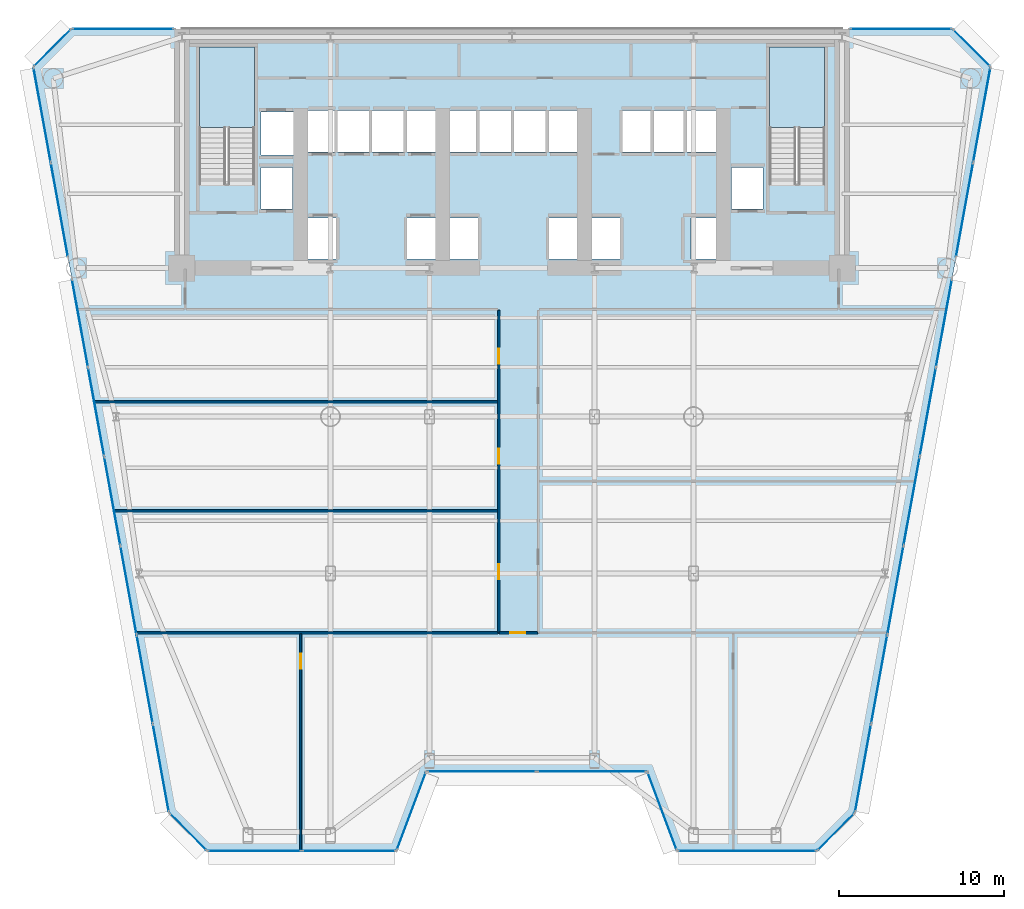
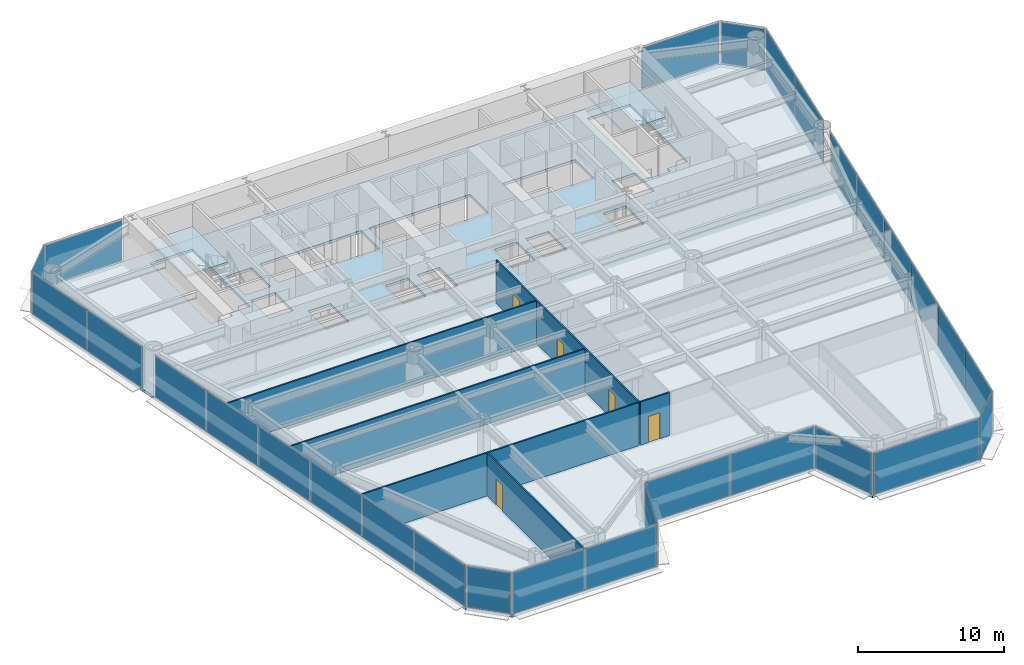
# One storey, part 7 of 14: 29 plates, 6 walls, 5 doors, 3 slabs, 5 openings, 17 elements without a shape of their own.
"""IFC4 building model written with IfcOpenShell, lengths in metres."""

from ifc_helpers import new_model, si_unit, direction, frame, frame_2d, origin, origin_2d, place, context, subcontext, project, spatial, polyline, rectangle, outline, extrude, source, transform, mapped, material, layer, layer_set, type_object, element, fill, aggregate, save


model = new_model("IFC4")

# Units and contexts
model_context = context("Model", 3, precision=1e-05, world=origin(), true_north=direction((0.0, 1.0)))
body_context = subcontext(model_context, "Body", "Model", "MODEL_VIEW")
ifc_project = project(units=[si_unit("LENGTHUNIT", "METRE"), si_unit("AREAUNIT", "SQUARE_METRE"), si_unit("VOLUMEUNIT", "CUBIC_METRE"), si_unit("PLANEANGLEUNIT", "RADIAN"), si_unit("MASSUNIT", "GRAM", prefix="KILO")], contexts=[model_context])

# Site, building, storey
site_placement = place(None, origin())
site = spatial("IfcSite", under=ifc_project, at=site_placement, CompositionType="ELEMENT")
building_placement = place(site_placement, origin())
building = spatial("IfcBuilding", under=site, at=building_placement, Name="Vaeldorn Concourse Tower", CompositionType="ELEMENT")
storey_placement = place(building_placement, frame((0.0, 0.0, 37.800048828125)))
storey = spatial("IfcBuildingStorey", under=building, at=storey_placement, Name="L09", CompositionType="ELEMENT", Elevation=37.800048828125)

# Stair, slab
ifc_material_1 = material(Name="Precast concrete C40/50", Category="concrete")
stair_type = type_object("IfcStairType", Name="STR-DOG-24x158", PredefinedType="HALF_TURN_STAIR", material=ifc_material_1)
stair_1_placement = place(storey_placement, origin())
stair_1 = element("IfcStair", 1, at=stair_1_placement, inside=storey, type_object=stair_type, Name="L09 West Core Exit Stair ST-1", PredefinedType="HALF_TURN_STAIR")
ifc_material_2 = material(Name="Concrete C40/50", Category="concrete")
ifc_layer_1 = layer(ifc_material_2, 0.199951171875)
ifc_layer_set_1 = layer_set([ifc_layer_1], Name="Concrete C40/50")
slab_type_1 = type_object("IfcSlabType", Name="SL-STAIR-LANDING", PredefinedType="LANDING", material=ifc_layer_set_1)
slab_1_placement = place(storey_placement, frame((0.0, 0.0, 1.699951171875)))
slab_1 = element("IfcSlab", 2, at=slab_1_placement, type_object=slab_type_1, Name="ST-1 landing 1", PredefinedType="LANDING", context=body_context, shape_type="SweptSolid", body=[
    extrude(outline(polyline([(18.39990234375, 45.010009765625), (18.39990234375, 49.89990234375), (15.050048828125, 49.89990234375), (15.050048828125, 45.010009765625), (18.39990234375, 45.010009765625)])), origin(), (0.0, 0.0, 1.0), 0.199951171875),
])
aggregate(stair_1, [slab_1])

stair_2_placement = place(storey_placement, origin())
stair_2 = element("IfcStair", 3, at=stair_2_placement, inside=storey, type_object=stair_type, Name="L09 East Core Exit Stair ST-2", PredefinedType="HALF_TURN_STAIR")
slab_2_placement = place(storey_placement, frame((0.0, 0.0, 1.699951171875)))
slab_2 = element("IfcSlab", 4, at=slab_2_placement, type_object=slab_type_1, Name="ST-2 landing 1", PredefinedType="LANDING", context=body_context, shape_type="SweptSolid", body=[
    extrude(outline(polyline([(52.949951171875, 45.010009765625), (52.949951171875, 49.89990234375), (49.60009765625, 49.89990234375), (49.60009765625, 45.010009765625), (52.949951171875, 45.010009765625)])), origin(), (0.0, 0.0, 1.0), 0.199951171875),
])
aggregate(stair_2, [slab_2])

# Slab
ifc_layer_2 = layer(ifc_material_2, 0.219970703125)
ifc_layer_set_2 = layer_set([ifc_layer_2], Name="Concrete C40/50")
slab_type_2 = type_object("IfcSlabType", Name="SL-TYP-220", PredefinedType="FLOOR", material=ifc_layer_set_2)
slab_3_placement = place(storey_placement, frame((0.0, 0.0, -0.219970703125)))
element("IfcSlab", 5, at=slab_3_placement, inside=storey, type_object=slab_type_2, Name="Structural Floor Slab L09", PredefinedType="FLOOR", context=body_context, shape_type="SweptSolid", body=[
    extrude(outline(polyline([(15.517822265625, 1.1953125), (27.0, 1.1953125), (28.800048828125, 5.995361328125), (42.199951171875, 5.995361328125), (44.0, 1.1953125), (52.482177734375, 1.1953125), (54.7822265625, 3.495361328125), (63.0, 48.699951171875), (60.699951171875, 51.0), (7.300048828125, 51.0), (5.0, 48.699951171875), (13.2177734375, 3.495361328125), (15.517822265625, 1.1953125)]), holes=[polyline([(18.39990234375, 42.0), (18.39990234375, 49.89990234375), (15.050048828125, 49.89990234375), (15.050048828125, 41.60009765625), (16.800048828125, 41.60009765625), (16.800048828125, 42.0), (18.39990234375, 42.0)]), polyline([(52.949951171875, 42.0), (52.949951171875, 49.89990234375), (49.60009765625, 49.89990234375), (49.60009765625, 41.60009765625), (51.35009765625, 41.60009765625), (51.35009765625, 42.0), (52.949951171875, 42.0)]), polyline([(21.550048828125, 37.050048828125), (23.35009765625, 37.050048828125), (23.35009765625, 39.550048828125), (21.550048828125, 39.550048828125), (21.550048828125, 37.050048828125)]), polyline([(27.64990234375, 37.050048828125), (29.449951171875, 37.050048828125), (29.449951171875, 39.550048828125), (27.64990234375, 39.550048828125), (27.64990234375, 37.050048828125)]), polyline([(21.5, 43.550048828125), (29.5, 43.550048828125), (29.5, 46.050048828125), (21.5, 46.050048828125), (21.5, 43.550048828125)]), polyline([(30.14990234375, 37.050048828125), (31.949951171875, 37.050048828125), (31.949951171875, 39.550048828125), (30.14990234375, 39.550048828125), (30.14990234375, 37.050048828125)]), polyline([(36.25, 37.050048828125), (38.050048828125, 37.050048828125), (38.050048828125, 39.550048828125), (36.25, 39.550048828125), (36.25, 37.050048828125)]), polyline([(30.10009765625, 43.550048828125), (38.10009765625, 43.550048828125), (38.10009765625, 46.050048828125), (30.10009765625, 46.050048828125), (30.10009765625, 43.550048828125)]), polyline([(38.75, 37.050048828125), (40.550048828125, 37.050048828125), (40.550048828125, 39.550048828125), (38.75, 39.550048828125), (38.75, 37.050048828125)]), polyline([(44.85009765625, 37.050048828125), (46.64990234375, 37.050048828125), (46.64990234375, 39.550048828125), (44.85009765625, 39.550048828125), (44.85009765625, 37.050048828125)]), polyline([(40.699951171875, 43.550048828125), (46.39990234375, 43.550048828125), (46.39990234375, 46.050048828125), (40.699951171875, 46.050048828125), (40.699951171875, 43.550048828125)]), polyline([(18.800048828125, 43.35009765625), (20.800048828125, 43.35009765625), (20.800048828125, 45.949951171875), (18.800048828125, 45.949951171875), (18.800048828125, 43.35009765625)]), polyline([(18.800048828125, 40.10009765625), (20.699951171875, 40.10009765625), (20.699951171875, 42.60009765625), (18.800048828125, 42.60009765625), (18.800048828125, 40.10009765625)]), polyline([(47.300048828125, 40.10009765625), (49.199951171875, 40.10009765625), (49.199951171875, 42.60009765625), (47.300048828125, 42.60009765625), (47.300048828125, 40.10009765625)])]), origin(), (0.0, 0.0, 1.0), 0.219970703125),
])

# Curtain wall, plate
ifc_material_3 = material(Name="Anodised Bronze Aluminium", Category="aluminium")
ifc_layer_3 = layer(ifc_material_3, 0.219970703125)
ifc_layer_set_3 = layer_set([ifc_layer_3], Name="Anodised Bronze Aluminium")
curtain_wall_type = type_object("IfcCurtainWallType", Name="CW-SYS-01", PredefinedType="NOTDEFINED", material=ifc_layer_set_3)
curtain_wall_1_placement = place(storey_placement, origin())
curtain_wall_1 = element("IfcCurtainWall", 6, at=curtain_wall_1_placement, inside=storey, type_object=curtain_wall_type, Name="Unitised Curtain Wall CW-L09-E02-1", PredefinedType="NOTDEFINED")
ifc_material_4 = material(Name="Bronze Tinted Low-E Insulated Glass", Category="glass")
ifc_layer_4 = layer(ifc_material_4, 0.031982421875)
ifc_layer_set_4 = layer_set([ifc_layer_4], Name="Bronze Tinted Low-E Insulated Glass")
plate_type = type_object("IfcPlateType", Name="CWP-VISION-32", PredefinedType="CURTAIN_PANEL", material=ifc_layer_set_4)
shared_shape_1 = source(origin(), body_context, "Body", "SweptSolid", [
    extrude(rectangle(XDim=4.976318359375, YDim=0.031982421875, at=origin_2d()), origin(), (0.0, 0.0, 1.0), 3.429931640625),
])
plate_1_placement = place(storey_placement, frame((27.89990234375, 3.595458984375, 0.0751953125), z_axis=(0.0, 0.0, 1.0), x_axis=(0.351123441595, 0.936329177566, 0.0)))
plate_1 = element("IfcPlate", 7, at=plate_1_placement, type_object=plate_type, Name="CW-01 panel 1.1", PredefinedType="CURTAIN_PANEL", context=body_context, shape_type="MappedRepresentation", body=[
    mapped(shared_shape_1, transform((0.0, 0.0, 0.0), scale=1.0)),
])
aggregate(curtain_wall_1, [plate_1])

curtain_wall_2_placement = place(storey_placement, origin())
curtain_wall_2 = element("IfcCurtainWall", 8, at=curtain_wall_2_placement, inside=storey, type_object=curtain_wall_type, Name="Unitised Curtain Wall CW-L09-E04-1", PredefinedType="NOTDEFINED")
plate_2_placement = place(storey_placement, frame((43.10009765625, 3.595458984375, 0.0751953125), z_axis=(0.0, 0.0, 1.0), x_axis=(0.351123441595, -0.936329177566, 0.0)))
plate_2 = element("IfcPlate", 9, at=plate_2_placement, type_object=plate_type, Name="CW-01 panel 1.1", PredefinedType="CURTAIN_PANEL", context=body_context, shape_type="MappedRepresentation", body=[
    mapped(shared_shape_1, transform((0.0, 0.0, 0.0), scale=1.0)),
])
aggregate(curtain_wall_2, [plate_2])

# Curtain wall, plates
curtain_wall_3_placement = place(storey_placement, origin())
curtain_wall_3 = element("IfcCurtainWall", 10, at=curtain_wall_3_placement, inside=storey, type_object=curtain_wall_type, Name="Unitised Curtain Wall CW-L09-E03-1", PredefinedType="NOTDEFINED")
shared_shape_2 = source(origin(), body_context, "Body", "SweptSolid", [
    extrude(rectangle(XDim=6.58740234375, YDim=0.031982421875, at=origin_2d()), origin(), (0.0, 0.0, 1.0), 3.429931640625),
])
plate_3_placement = place(storey_placement, frame((32.168701171875, 5.995361328125, 0.0751953125), z_axis=(0.0, 0.0, 1.0), x_axis=(1.0, 0.0, 0.0)))
plate_3 = element("IfcPlate", 11, at=plate_3_placement, type_object=plate_type, Name="CW-01 panel 1.1", PredefinedType="CURTAIN_PANEL", context=body_context, shape_type="MappedRepresentation", body=[
    mapped(shared_shape_2, transform((0.0, 0.0, 0.0), scale=1.0)),
])
plate_4_placement = place(storey_placement, frame((38.831298828125, 5.995361328125, 0.0751953125), z_axis=(0.0, 0.0, 1.0), x_axis=(1.0, 0.0, 0.0)))
plate_4 = element("IfcPlate", 12, at=plate_4_placement, type_object=plate_type, Name="CW-01 panel 2.1", PredefinedType="CURTAIN_PANEL", context=body_context, shape_type="MappedRepresentation", body=[
    mapped(shared_shape_2, transform((0.0, 0.0, 0.0), scale=1.0)),
])
aggregate(curtain_wall_3, [plate_3, plate_4])

# Curtain wall, plate
curtain_wall_4_placement = place(storey_placement, origin())
curtain_wall_4 = element("IfcCurtainWall", 13, at=curtain_wall_4_placement, inside=storey, type_object=curtain_wall_type, Name="Unitised Curtain Wall CW-L09-E06-1", PredefinedType="NOTDEFINED")
shared_shape_3 = source(origin(), body_context, "Body", "SweptSolid", [
    extrude(rectangle(XDim=3.102783203125, YDim=0.031982421875, at=origin_2d()), origin(), (0.0, 0.0, 1.0), 3.429931640625),
])
plate_5_placement = place(storey_placement, frame((53.632080078125, 2.345458984375, 0.0751953125), z_axis=(0.0, 0.0, 1.0), x_axis=(0.707106781187, 0.707106781187, 0.0)))
plate_5 = element("IfcPlate", 14, at=plate_5_placement, type_object=plate_type, Name="CW-01 panel 1.1", PredefinedType="CURTAIN_PANEL", context=body_context, shape_type="MappedRepresentation", body=[
    mapped(shared_shape_3, transform((0.0, 0.0, 0.0), scale=1.0)),
])
aggregate(curtain_wall_4, [plate_5])

curtain_wall_5_placement = place(storey_placement, origin())
curtain_wall_5 = element("IfcCurtainWall", 15, at=curtain_wall_5_placement, inside=storey, type_object=curtain_wall_type, Name="Unitised Curtain Wall CW-L09-E08-1", PredefinedType="NOTDEFINED")
plate_6_placement = place(storey_placement, frame((61.85009765625, 49.85009765625, 0.0751953125), z_axis=(0.0, 0.0, 1.0), x_axis=(-0.707106781187, 0.707106781187, 0.0)))
plate_6 = element("IfcPlate", 16, at=plate_6_placement, type_object=plate_type, Name="CW-01 panel 1.1", PredefinedType="CURTAIN_PANEL", context=body_context, shape_type="MappedRepresentation", body=[
    mapped(shared_shape_3, transform((0.0, 0.0, 0.0), scale=1.0)),
])
aggregate(curtain_wall_5, [plate_6])

curtain_wall_6_placement = place(storey_placement, origin())
curtain_wall_6 = element("IfcCurtainWall", 17, at=curtain_wall_6_placement, inside=storey, type_object=curtain_wall_type, Name="Unitised Curtain Wall CW-L09-E10-1", PredefinedType="NOTDEFINED")
plate_7_placement = place(storey_placement, frame((6.14990234375, 49.85009765625, 0.0751953125), z_axis=(0.0, 0.0, 1.0), x_axis=(-0.707106781187, -0.707106781187, 0.0)))
plate_7 = element("IfcPlate", 18, at=plate_7_placement, type_object=plate_type, Name="CW-01 panel 1.1", PredefinedType="CURTAIN_PANEL", context=body_context, shape_type="MappedRepresentation", body=[
    mapped(shared_shape_3, transform((0.0, 0.0, 0.0), scale=1.0)),
])
aggregate(curtain_wall_6, [plate_7])

curtain_wall_7_placement = place(storey_placement, origin())
curtain_wall_7 = element("IfcCurtainWall", 19, at=curtain_wall_7_placement, inside=storey, type_object=curtain_wall_type, Name="Unitised Curtain Wall CW-L09-E12-1", PredefinedType="NOTDEFINED")
plate_8_placement = place(storey_placement, frame((14.367919921875, 2.345458984375, 0.0751953125), z_axis=(0.0, 0.0, 1.0), x_axis=(0.707106781187, -0.707106781187, 0.0)))
plate_8 = element("IfcPlate", 20, at=plate_8_placement, type_object=plate_type, Name="CW-01 panel 1.1", PredefinedType="CURTAIN_PANEL", context=body_context, shape_type="MappedRepresentation", body=[
    mapped(shared_shape_3, transform((0.0, 0.0, 0.0), scale=1.0)),
])
aggregate(curtain_wall_7, [plate_8])

curtain_wall_8_placement = place(storey_placement, origin())
curtain_wall_8 = element("IfcCurtainWall", 21, at=curtain_wall_8_placement, inside=storey, type_object=curtain_wall_type, Name="Unitised Curtain Wall CW-L09-E09-1", PredefinedType="NOTDEFINED")
shared_shape_4 = source(origin(), body_context, "Body", "SweptSolid", [
    extrude(rectangle(XDim=6.10498046875, YDim=0.031982421875, at=origin_2d()), origin(), (0.0, 0.0, 1.0), 3.429931640625),
])
plate_9_placement = place(storey_placement, frame((57.572509765625, 51.0, 0.0751953125), z_axis=(0.0, 0.0, 1.0), x_axis=(-1.0, 0.0, 0.0)))
plate_9 = element("IfcPlate", 22, at=plate_9_placement, type_object=plate_type, Name="CW-01 panel 1.1", PredefinedType="CURTAIN_PANEL", context=body_context, shape_type="MappedRepresentation", body=[
    mapped(shared_shape_4, transform((0.0, 0.0, 0.0), scale=1.0)),
])
aggregate(curtain_wall_8, [plate_9])

curtain_wall_9_placement = place(storey_placement, origin())
curtain_wall_9 = element("IfcCurtainWall", 23, at=curtain_wall_9_placement, inside=storey, type_object=curtain_wall_type, Name="Unitised Curtain Wall CW-L09-E09-2", PredefinedType="NOTDEFINED")
plate_10_placement = place(storey_placement, frame((10.427490234375, 51.0, 0.0751953125), z_axis=(0.0, 0.0, 1.0), x_axis=(-1.0, 0.0, 0.0)))
plate_10 = element("IfcPlate", 24, at=plate_10_placement, type_object=plate_type, Name="CW-01 panel 1.1", PredefinedType="CURTAIN_PANEL", context=body_context, shape_type="MappedRepresentation", body=[
    mapped(shared_shape_4, transform((0.0, 0.0, 0.0), scale=1.0)),
])
aggregate(curtain_wall_9, [plate_10])

# Curtain wall, plates
curtain_wall_10_placement = place(storey_placement, origin())
curtain_wall_10 = element("IfcCurtainWall", 25, at=curtain_wall_10_placement, inside=storey, type_object=curtain_wall_type, Name="Unitised Curtain Wall CW-L09-E01-1", PredefinedType="NOTDEFINED")
shared_shape_5 = source(origin(), body_context, "Body", "SweptSolid", [
    extrude(rectangle(XDim=5.628662109375, YDim=0.031982421875, at=origin_2d()), origin(), (0.0, 0.0, 1.0), 3.429931640625),
])
plate_11_placement = place(storey_placement, frame((18.406982421875, 1.1953125, 0.0751953125), z_axis=(0.0, 0.0, 1.0), x_axis=(1.0, 0.0, 0.0)))
plate_11 = element("IfcPlate", 26, at=plate_11_placement, type_object=plate_type, Name="CW-01 panel 1.1", PredefinedType="CURTAIN_PANEL", context=body_context, shape_type="MappedRepresentation", body=[
    mapped(shared_shape_5, transform((0.0, 0.0, 0.0), scale=1.0)),
])
plate_12_placement = place(storey_placement, frame((24.110595703125, 1.1953125, 0.0751953125), z_axis=(0.0, 0.0, 1.0), x_axis=(1.0, 0.0, 0.0)))
plate_12 = element("IfcPlate", 27, at=plate_12_placement, type_object=plate_type, Name="CW-01 panel 2.1", PredefinedType="CURTAIN_PANEL", context=body_context, shape_type="MappedRepresentation", body=[
    mapped(shared_shape_5, transform((0.0, 0.0, 0.0), scale=1.0)),
])
aggregate(curtain_wall_10, [plate_11, plate_12])

# Curtain wall, plate
curtain_wall_11_placement = place(storey_placement, origin())
curtain_wall_11 = element("IfcCurtainWall", 28, at=curtain_wall_11_placement, inside=storey, type_object=curtain_wall_type, Name="Unitised Curtain Wall CW-L09-E05-1", PredefinedType="NOTDEFINED")
shared_shape_6 = source(origin(), body_context, "Body", "SweptSolid", [
    extrude(rectangle(XDim=8.332275390625, YDim=0.031982421875, at=origin_2d()), origin(), (0.0, 0.0, 1.0), 3.429931640625),
])
plate_13_placement = place(storey_placement, frame((48.2412109375, 1.1953125, 0.0751953125), z_axis=(0.0, 0.0, 1.0), x_axis=(1.0, 0.0, 0.0)))
plate_13 = element("IfcPlate", 29, at=plate_13_placement, type_object=plate_type, Name="CW-01 panel 1.1", PredefinedType="CURTAIN_PANEL", context=body_context, shape_type="MappedRepresentation", body=[
    mapped(shared_shape_6, transform((0.0, 0.0, 0.0), scale=1.0)),
])
aggregate(curtain_wall_11, [plate_13])

# Curtain wall, plates
curtain_wall_12_placement = place(storey_placement, origin())
curtain_wall_12 = element("IfcCurtainWall", 30, at=curtain_wall_12_placement, inside=storey, type_object=curtain_wall_type, Name="Unitised Curtain Wall CW-L09-E07-1", PredefinedType="NOTDEFINED")
shared_shape_7 = source(origin(), body_context, "Body", "SweptSolid", [
    extrude(rectangle(XDim=5.37353515625, YDim=0.031982421875, at=origin_2d()), origin(), (0.0, 0.0, 1.0), 3.429931640625),
])
plate_14_placement = place(storey_placement, frame((55.276123046875, 6.212646484375, 0.0751953125), z_axis=(0.0, 0.0, 1.0), x_axis=(0.178858970673, 0.98387472201, 0.0)))
plate_14 = element("IfcPlate", 31, at=plate_14_placement, type_object=plate_type, Name="CW-01 panel 1.1", PredefinedType="CURTAIN_PANEL", context=body_context, shape_type="MappedRepresentation", body=[
    mapped(shared_shape_7, transform((0.0, 0.0, 0.0), scale=1.0)),
])
plate_15_placement = place(storey_placement, frame((60.175537109375, 33.163330078125, 0.0751953125), z_axis=(0.0, 0.0, 1.0), x_axis=(0.178858970673, 0.98387472201, 0.0)))
plate_15 = element("IfcPlate", 32, at=plate_15_placement, type_object=plate_type, Name="CW-01 panel 6.1", PredefinedType="CURTAIN_PANEL", context=body_context, shape_type="MappedRepresentation", body=[
    mapped(shared_shape_7, transform((0.0, 0.0, 0.0), scale=1.0)),
])

curtain_wall_13_placement = place(storey_placement, origin())
curtain_wall_13 = element("IfcCurtainWall", 33, at=curtain_wall_13_placement, inside=storey, type_object=curtain_wall_type, Name="Unitised Curtain Wall CW-L09-E11-2", PredefinedType="NOTDEFINED")
plate_16_placement = place(storey_placement, frame((7.824462890625, 33.163330078125, 0.0751953125), z_axis=(0.0, 0.0, 1.0), x_axis=(0.178858970673, -0.98387472201, 0.0)))
plate_16 = element("IfcPlate", 34, at=plate_16_placement, type_object=plate_type, Name="CW-01 panel 1.1", PredefinedType="CURTAIN_PANEL", context=body_context, shape_type="MappedRepresentation", body=[
    mapped(shared_shape_7, transform((0.0, 0.0, 0.0), scale=1.0)),
])
plate_17_placement = place(storey_placement, frame((12.723876953125, 6.212646484375, 0.0751953125), z_axis=(0.0, 0.0, 1.0), x_axis=(0.178858970673, -0.98387472201, 0.0)))
plate_17 = element("IfcPlate", 35, at=plate_17_placement, type_object=plate_type, Name="CW-01 panel 6.1", PredefinedType="CURTAIN_PANEL", context=body_context, shape_type="MappedRepresentation", body=[
    mapped(shared_shape_7, transform((0.0, 0.0, 0.0), scale=1.0)),
])

# Plate
shared_shape_8 = source(origin(), body_context, "Body", "SweptSolid", [
    extrude(rectangle(XDim=5.410888671875, YDim=0.031982421875, at=origin_2d()), origin(), (0.0, 0.0, 1.0), 3.429931640625),
])
plate_18_placement = place(storey_placement, frame((56.25390625, 11.591796875, 0.0751953125), z_axis=(0.0, 0.0, 1.0), x_axis=(0.178858970673, 0.98387472201, 0.0)))
plate_18 = element("IfcPlate", 36, at=plate_18_placement, type_object=plate_type, Name="CW-01 panel 2.1", PredefinedType="CURTAIN_PANEL", context=body_context, shape_type="MappedRepresentation", body=[
    mapped(shared_shape_8, transform((0.0, 0.0, 0.0), scale=1.0)),
])

plate_19_placement = place(storey_placement, frame((57.2353515625, 16.9892578125, 0.0751953125), z_axis=(0.0, 0.0, 1.0), x_axis=(0.178858970673, 0.98387472201, 0.0)))
plate_19 = element("IfcPlate", 37, at=plate_19_placement, type_object=plate_type, Name="CW-01 panel 3.1", PredefinedType="CURTAIN_PANEL", context=body_context, shape_type="MappedRepresentation", body=[
    mapped(shared_shape_8, transform((0.0, 0.0, 0.0), scale=1.0)),
])

plate_20_placement = place(storey_placement, frame((58.216552734375, 22.38671875, 0.0751953125), z_axis=(0.0, 0.0, 1.0), x_axis=(0.178858970673, 0.98387472201, 0.0)))
plate_20 = element("IfcPlate", 38, at=plate_20_placement, type_object=plate_type, Name="CW-01 panel 4.1", PredefinedType="CURTAIN_PANEL", context=body_context, shape_type="MappedRepresentation", body=[
    mapped(shared_shape_8, transform((0.0, 0.0, 0.0), scale=1.0)),
])

plate_21_placement = place(storey_placement, frame((59.19775390625, 27.7841796875, 0.0751953125), z_axis=(0.0, 0.0, 1.0), x_axis=(0.178858970673, 0.98387472201, 0.0)))
plate_21 = element("IfcPlate", 39, at=plate_21_placement, type_object=plate_type, Name="CW-01 panel 5.1", PredefinedType="CURTAIN_PANEL", context=body_context, shape_type="MappedRepresentation", body=[
    mapped(shared_shape_8, transform((0.0, 0.0, 0.0), scale=1.0)),
])

aggregate(curtain_wall_12, [plate_14, plate_18, plate_19, plate_20, plate_21, plate_15])

plate_22_placement = place(storey_placement, frame((8.80224609375, 27.7841796875, 0.0751953125), z_axis=(0.0, 0.0, 1.0), x_axis=(0.178858970673, -0.98387472201, 0.0)))
plate_22 = element("IfcPlate", 40, at=plate_22_placement, type_object=plate_type, Name="CW-01 panel 2.1", PredefinedType="CURTAIN_PANEL", context=body_context, shape_type="MappedRepresentation", body=[
    mapped(shared_shape_8, transform((0.0, 0.0, 0.0), scale=1.0)),
])

plate_23_placement = place(storey_placement, frame((9.783447265625, 22.38671875, 0.0751953125), z_axis=(0.0, 0.0, 1.0), x_axis=(0.178858970673, -0.98387472201, 0.0)))
plate_23 = element("IfcPlate", 41, at=plate_23_placement, type_object=plate_type, Name="CW-01 panel 3.1", PredefinedType="CURTAIN_PANEL", context=body_context, shape_type="MappedRepresentation", body=[
    mapped(shared_shape_8, transform((0.0, 0.0, 0.0), scale=1.0)),
])

plate_24_placement = place(storey_placement, frame((10.7646484375, 16.9892578125, 0.0751953125), z_axis=(0.0, 0.0, 1.0), x_axis=(0.178858970673, -0.98387472201, 0.0)))
plate_24 = element("IfcPlate", 42, at=plate_24_placement, type_object=plate_type, Name="CW-01 panel 4.1", PredefinedType="CURTAIN_PANEL", context=body_context, shape_type="MappedRepresentation", body=[
    mapped(shared_shape_8, transform((0.0, 0.0, 0.0), scale=1.0)),
])

plate_25_placement = place(storey_placement, frame((11.74609375, 11.591796875, 0.0751953125), z_axis=(0.0, 0.0, 1.0), x_axis=(0.178858970673, -0.98387472201, 0.0)))
plate_25 = element("IfcPlate", 43, at=plate_25_placement, type_object=plate_type, Name="CW-01 panel 5.1", PredefinedType="CURTAIN_PANEL", context=body_context, shape_type="MappedRepresentation", body=[
    mapped(shared_shape_8, transform((0.0, 0.0, 0.0), scale=1.0)),
])

aggregate(curtain_wall_13, [plate_16, plate_22, plate_23, plate_24, plate_25, plate_17])

# Curtain wall, plates
curtain_wall_14_placement = place(storey_placement, origin())
curtain_wall_14 = element("IfcCurtainWall", 44, at=curtain_wall_14_placement, inside=storey, type_object=curtain_wall_type, Name="Unitised Curtain Wall CW-L09-E07-2", PredefinedType="NOTDEFINED")
shared_shape_9 = source(origin(), body_context, "Body", "SweptSolid", [
    extrude(rectangle(XDim=5.772705078125, YDim=0.031982421875, at=origin_2d()), origin(), (0.0, 0.0, 1.0), 3.429931640625),
])
plate_26_placement = place(storey_placement, frame((61.424560546875, 40.032958984375, 0.0751953125), z_axis=(0.0, 0.0, 1.0), x_axis=(0.178857027626, 0.983875075235, 0.0)))
plate_26 = element("IfcPlate", 45, at=plate_26_placement, type_object=plate_type, Name="CW-01 panel 1.1", PredefinedType="CURTAIN_PANEL", context=body_context, shape_type="MappedRepresentation", body=[
    mapped(shared_shape_9, transform((0.0, 0.0, 0.0), scale=1.0)),
])
plate_27_placement = place(storey_placement, frame((62.470458984375, 45.786376953125, 0.0751953125), z_axis=(0.0, 0.0, 1.0), x_axis=(0.178857027626, 0.983875075235, 0.0)))
plate_27 = element("IfcPlate", 46, at=plate_27_placement, type_object=plate_type, Name="CW-01 panel 2.1", PredefinedType="CURTAIN_PANEL", context=body_context, shape_type="MappedRepresentation", body=[
    mapped(shared_shape_9, transform((0.0, 0.0, 0.0), scale=1.0)),
])
aggregate(curtain_wall_14, [plate_26, plate_27])

curtain_wall_15_placement = place(storey_placement, origin())
curtain_wall_15 = element("IfcCurtainWall", 47, at=curtain_wall_15_placement, inside=storey, type_object=curtain_wall_type, Name="Unitised Curtain Wall CW-L09-E11-1", PredefinedType="NOTDEFINED")
plate_28_placement = place(storey_placement, frame((5.529541015625, 45.786376953125, 0.0751953125), z_axis=(0.0, 0.0, 1.0), x_axis=(0.178857027626, -0.983875075235, 0.0)))
plate_28 = element("IfcPlate", 48, at=plate_28_placement, type_object=plate_type, Name="CW-01 panel 1.1", PredefinedType="CURTAIN_PANEL", context=body_context, shape_type="MappedRepresentation", body=[
    mapped(shared_shape_9, transform((0.0, 0.0, 0.0), scale=1.0)),
])
plate_29_placement = place(storey_placement, frame((6.575439453125, 40.032958984375, 0.0751953125), z_axis=(0.0, 0.0, 1.0), x_axis=(0.178857027626, -0.983875075235, 0.0)))
plate_29 = element("IfcPlate", 49, at=plate_29_placement, type_object=plate_type, Name="CW-01 panel 2.1", PredefinedType="CURTAIN_PANEL", context=body_context, shape_type="MappedRepresentation", body=[
    mapped(shared_shape_9, transform((0.0, 0.0, 0.0), scale=1.0)),
])
aggregate(curtain_wall_15, [plate_28, plate_29])

# Wall, openings, doors
ifc_material_5 = material(Name="Gypsum Board Partition", Category="gypsum")
ifc_layer_5 = layer(ifc_material_5, 0.1201171875)
ifc_layer_set_5 = layer_set([ifc_layer_5], Name="Gypsum Board Partition")
wall_type = type_object("IfcWallType", Name="WL-PART-120", PredefinedType="PARTITIONING", material=ifc_layer_set_5)
wall_1_placement = place(storey_placement, frame((33.199951171875, 14.39990234375, 0.0), z_axis=(0.0, 0.0, 1.0), x_axis=(0.0, 1.0, 0.0)))
wall_1 = element("IfcWall", 50, at=wall_1_placement, inside=storey, type_object=wall_type, Name="Interior Wall PW-L09-CSPW", PredefinedType="PARTITIONING", context=body_context, shape_type="SweptSolid", body=[
    extrude(rectangle(XDim=19.5400390625, YDim=0.1201171875, at=frame_2d((9.77001953125, 0.0))), origin(), (0.0, 0.0, 1.0), 3.579833984375),
])
opening_1_placement = place(wall_1_placement, frame((3.25, 0.0, 0.0)))
opening_1 = element("IfcOpeningElement", 51, at=opening_1_placement, cuts=wall_1, Name="Opening D-03", PredefinedType="OPENING", context=body_context, shape_type="SweptSolid", body=[
    extrude(rectangle(XDim=0.89990234375, YDim=2.14990234375, at=frame_2d((0.449951171875, 1.074951171875))), frame((0.0, 0.070068359375, 0.0), z_axis=(0.0, -1.0, 0.0), x_axis=(1.0, 0.0, 0.0)), (0.0, 0.0, 1.0), 0.14013671875),
])
opening_2_placement = place(wall_1_placement, frame((10.25, 0.0, 0.0)))
opening_2 = element("IfcOpeningElement", 52, at=opening_2_placement, cuts=wall_1, Name="Opening D-03", PredefinedType="OPENING", context=body_context, shape_type="SweptSolid", body=[
    extrude(rectangle(XDim=0.89990234375, YDim=2.14990234375, at=frame_2d((0.449951171875, 1.074951171875))), frame((0.0, 0.070068359375, 0.0), z_axis=(0.0, -1.0, 0.0), x_axis=(1.0, 0.0, 0.0)), (0.0, 0.0, 1.0), 0.14013671875),
])
opening_3_placement = place(wall_1_placement, frame((16.320068359375, 0.0, 0.0)))
opening_3 = element("IfcOpeningElement", 53, at=opening_3_placement, cuts=wall_1, Name="Opening D-03", PredefinedType="OPENING", context=body_context, shape_type="SweptSolid", body=[
    extrude(rectangle(XDim=0.89990234375, YDim=2.14990234375, at=frame_2d((0.449951171875, 1.074951171875))), frame((0.0, 0.070068359375, 0.0), z_axis=(0.0, -1.0, 0.0), x_axis=(1.0, 0.0, 0.0)), (0.0, 0.0, 1.0), 0.14013671875),
])
ifc_material_6 = material(Name="Acoustic Bronze-Framed Glass Door", Category="glass")
door_type = type_object("IfcDoorType", Name="DR-INT-900", OperationType="NOTDEFINED", PredefinedType="DOOR", material=ifc_material_6)
shared_shape_10 = source(origin(), body_context, "Body", "SweptSolid", [
    extrude(rectangle(XDim=0.89990234375, YDim=2.14990234375, at=frame_2d((0.449951171875, 1.074951171875))), frame((0.0, 0.02490234375, 0.0), z_axis=(0.0, -1.0, 0.0), x_axis=(1.0, 0.0, 0.0)), (0.0, 0.0, 1.0), 0.050048828125),
])
door_1_placement = place(opening_1_placement, origin())
door_1 = element("IfcDoor", 54, at=door_1_placement, inside=storey, type_object=door_type, Name="Interior Door DR-L09-Z3W1", OperationType="SINGLE_SWING_LEFT", OverallHeight=2.14990234375, OverallWidth=0.89990234375, PredefinedType="DOOR", context=body_context, shape_type="MappedRepresentation", body=[
    mapped(shared_shape_10, transform((0.0, 0.0, 0.0), scale=1.0)),
])
fill(opening_1, door_1)
door_2_placement = place(opening_2_placement, origin())
door_2 = element("IfcDoor", 55, at=door_2_placement, inside=storey, type_object=door_type, Name="Interior Door DR-L09-Z3W2", OperationType="SINGLE_SWING_RIGHT", OverallHeight=2.14990234375, OverallWidth=0.89990234375, PredefinedType="DOOR", context=body_context, shape_type="MappedRepresentation", body=[
    mapped(shared_shape_10, transform((0.0, 0.0, 0.0), scale=1.0)),
])
fill(opening_2, door_2)
door_3_placement = place(opening_3_placement, origin())
door_3 = element("IfcDoor", 56, at=door_3_placement, inside=storey, type_object=door_type, Name="Interior Door DR-L09-Z3W3", OperationType="SINGLE_SWING_LEFT", OverallHeight=2.14990234375, OverallWidth=0.89990234375, PredefinedType="DOOR", context=body_context, shape_type="MappedRepresentation", body=[
    mapped(shared_shape_10, transform((0.0, 0.0, 0.0), scale=1.0)),
])
fill(opening_3, door_3)

# Wall, opening, door
wall_2_placement = place(storey_placement, frame((33.239990234375, 14.39990234375, 0.0), z_axis=(0.0, 0.0, 1.0), x_axis=(1.0, 0.0, 0.0)))
wall_2 = element("IfcWall", 57, at=wall_2_placement, inside=storey, type_object=wall_type, Name="Interior Wall PW-L09-CSPS", PredefinedType="PARTITIONING", context=body_context, shape_type="SweptSolid", body=[
    extrude(rectangle(XDim=2.320068359375, YDim=0.1201171875, at=frame_2d((1.16015625, 0.0))), origin(), (0.0, 0.0, 1.0), 3.579833984375),
])
opening_4_placement = place(wall_2_placement, frame((0.64990234375, 0.0, 0.0)))
opening_4 = element("IfcOpeningElement", 58, at=opening_4_placement, cuts=wall_2, Name="Opening D-03", PredefinedType="OPENING", context=body_context, shape_type="SweptSolid", body=[
    extrude(rectangle(XDim=0.89990234375, YDim=2.14990234375, at=frame_2d((0.449951171875, 1.074951171875))), frame((0.0, 0.070068359375, 0.0), z_axis=(0.0, -1.0, 0.0), x_axis=(1.0, 0.0, 0.0)), (0.0, 0.0, 1.0), 0.14013671875),
])
door_4_placement = place(opening_4_placement, origin())
door_4 = element("IfcDoor", 59, at=door_4_placement, inside=storey, type_object=door_type, Name="Interior Door DR-L09-Z3SM", OperationType="SINGLE_SWING_LEFT", OverallHeight=2.14990234375, OverallWidth=0.89990234375, PredefinedType="DOOR", context=body_context, shape_type="MappedRepresentation", body=[
    mapped(shared_shape_10, transform((0.0, 0.0, 0.0), scale=1.0)),
])
fill(opening_4, door_4)

# Walls
wall_3_placement = place(storey_placement, frame((9.93017578125, 21.800048828125, 0.0), z_axis=(0.0, 0.0, 1.0), x_axis=(1.0, 0.0, 0.0)))
element("IfcWall", 60, at=wall_3_placement, inside=storey, type_object=wall_type, Name="Interior Wall PW-L09-Z3WY1", PredefinedType="PARTITIONING", context=body_context, shape_type="SweptSolid", body=[
    extrude(rectangle(XDim=23.209716796875, YDim=0.1201171875, at=frame_2d((11.60498046875, 0.0))), origin(), (0.0, 0.0, 1.0), 3.579833984375),
])
wall_4_placement = place(storey_placement, frame((8.73046875, 28.39990234375, 0.0), z_axis=(0.0, 0.0, 1.0), x_axis=(1.0, 0.0, 0.0)))
element("IfcWall", 61, at=wall_4_placement, inside=storey, type_object=wall_type, Name="Interior Wall PW-L09-Z3WY2", PredefinedType="PARTITIONING", context=body_context, shape_type="SweptSolid", body=[
    extrude(rectangle(XDim=24.409423828125, YDim=0.1201171875, at=frame_2d((12.20458984375, 0.0))), origin(), (0.0, 0.0, 1.0), 3.579833984375),
])
wall_5_placement = place(storey_placement, frame((11.275390625, 14.39990234375, 0.0), z_axis=(0.0, 0.0, 1.0), x_axis=(1.0, 0.0, 0.0)))
element("IfcWall", 62, at=wall_5_placement, inside=storey, type_object=wall_type, Name="Interior Wall PW-L09-Z3SWL", PredefinedType="PARTITIONING", context=body_context, shape_type="SweptSolid", body=[
    extrude(rectangle(XDim=21.864501953125, YDim=0.1201171875, at=frame_2d((10.93212890625, 0.0))), origin(), (0.0, 0.0, 1.0), 3.579833984375),
])

# Wall, opening, door
wall_6_placement = place(storey_placement, frame((21.199951171875, 1.2353515625, 0.0), z_axis=(0.0, 0.0, 1.0), x_axis=(0.0, 1.0, 0.0)))
wall_6 = element("IfcWall", 63, at=wall_6_placement, inside=storey, type_object=wall_type, Name="Interior Wall PW-L09-Z3SX1", PredefinedType="PARTITIONING", context=body_context, shape_type="SweptSolid", body=[
    extrude(rectangle(XDim=13.104736328125, YDim=0.1201171875, at=frame_2d((6.55224609375, 0.0))), origin(), (0.0, 0.0, 1.0), 3.579833984375),
])
opening_5_placement = place(wall_6_placement, frame((11.0048828125, 0.0, 0.0)))
opening_5 = element("IfcOpeningElement", 64, at=opening_5_placement, cuts=wall_6, Name="Opening D-03", PredefinedType="OPENING", context=body_context, shape_type="SweptSolid", body=[
    extrude(rectangle(XDim=0.89990234375, YDim=2.14990234375, at=frame_2d((0.449951171875, 1.074951171875))), frame((0.0, 0.070068359375, 0.0), z_axis=(0.0, -1.0, 0.0), x_axis=(1.0, 0.0, 0.0)), (0.0, 0.0, 1.0), 0.14013671875),
])
door_5_placement = place(opening_5_placement, origin())
door_5 = element("IfcDoor", 65, at=door_5_placement, inside=storey, type_object=door_type, Name="Interior Door DR-L09-Z3SX1", OperationType="SINGLE_SWING_RIGHT", OverallHeight=2.14990234375, OverallWidth=0.89990234375, PredefinedType="DOOR", context=body_context, shape_type="MappedRepresentation", body=[
    mapped(shared_shape_10, transform((0.0, 0.0, 0.0), scale=1.0)),
])
fill(opening_5, door_5)

save(model, "model.ifc")
